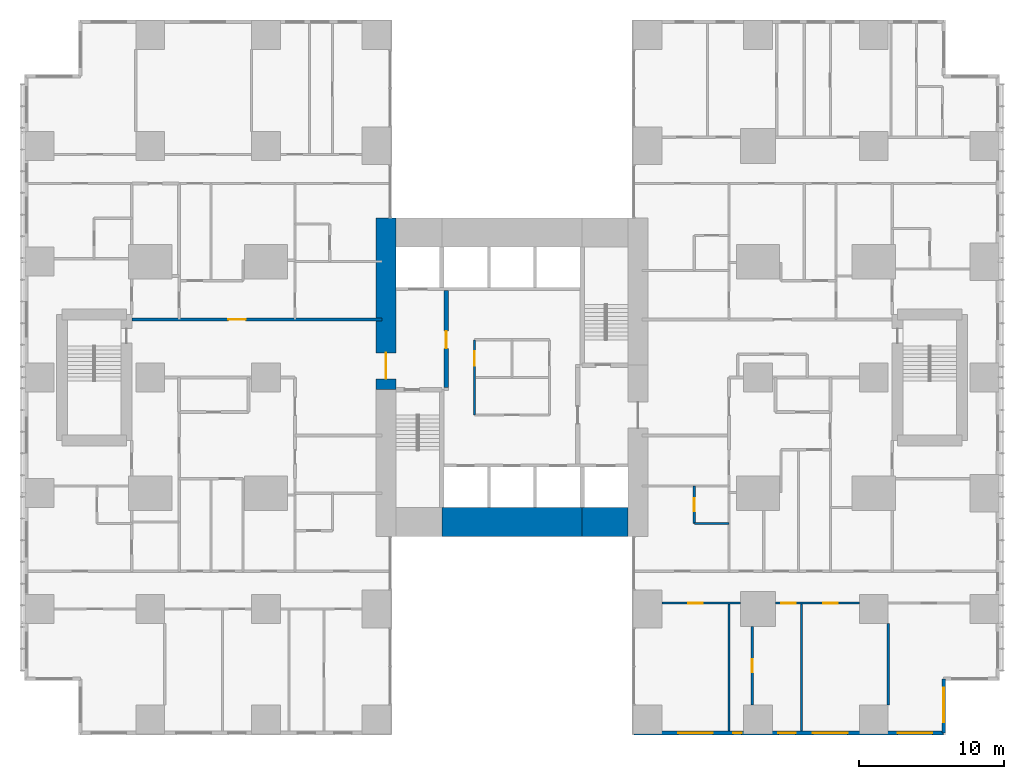
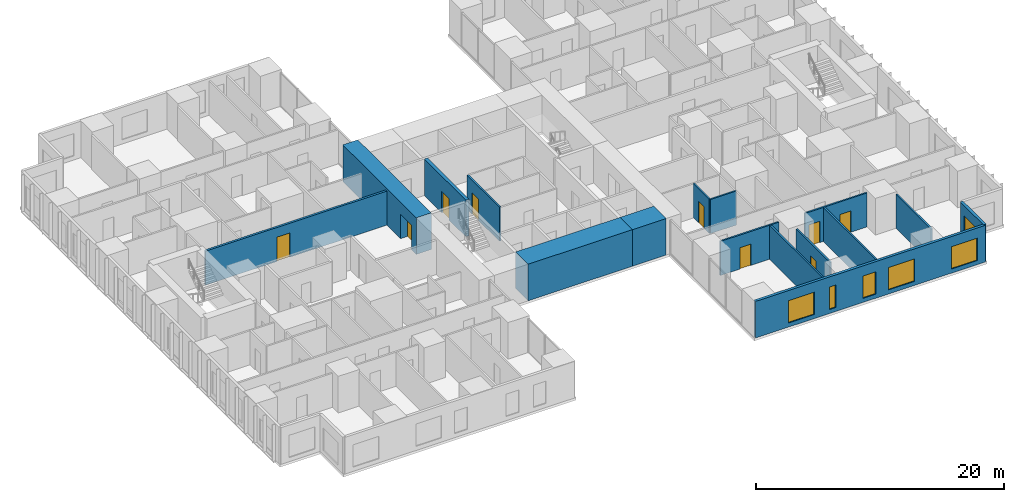
# One storey, part 14 of 20: 16 walls, 9 doors, 6 windows, 15 openings.
"""IFC4 building model written with IfcOpenShell, lengths in metres."""

import ifcopenshell
import ifcopenshell.guid

model = None  # the IFC model being written
_history = None  # IfcOwnerHistory: only IFC2X3 demands one
_inside = {}  # id of a spatial element -> (the spatial element, [elements in it])
_under = {}  # id of a project, library or spatial element -> (it, [spatial elements below it])
_declared = {}  # id of a project -> (the project, [libraries it declares])
_typed = {}  # id of a type object -> (the type object, [elements of that type])
_made_of = {}  # id of a material, layer set ... -> (it, [elements and type objects made of it])


def new_model(schema):
    """Start an empty IFC model of exactly this schema.

    Asked for "IFC4X3", IfcOpenShell would pick the latest addendum, in which some entities
    have other attributes; the version numbers below select the first issue.
    IFC2X3 requires an IfcOwnerHistory on every rooted entity: one is made here for all.
    """
    global model, _history
    if schema == "IFC4X3":
        model = ifcopenshell.file(schema_version=(4, 3, 0, 0))
    else:
        model = ifcopenshell.file(schema=schema)
    _inside.clear()
    _under.clear()
    _declared.clear()
    _typed.clear()
    _made_of.clear()
    _history = None
    if model.schema == "IFC2X3":
        org = make("IfcOrganization", Name="unknown")
        user = make(
            "IfcPersonAndOrganization",
            ThePerson=make("IfcPerson", FamilyName="unknown"),
            TheOrganization=org,
        )
        app = make(
            "IfcApplication",
            ApplicationDeveloper=org,
            Version="unknown",
            ApplicationFullName="unknown",
            ApplicationIdentifier="unknown",
        )
        _history = make(
            "IfcOwnerHistory",
            OwningUser=user,
            OwningApplication=app,
            ChangeAction="ADDED",
            CreationDate=0,
        )
    return model


def make(cls, **values):
    """One entity of the class cls with the attributes given. An attribute that is None is left unset."""
    return model.create_entity(
        cls, **{name: value for name, value in values.items() if value is not None}
    )


def rooted(cls, **values):
    """An entity with a GlobalId (a new one), such as an element, a storey or a relation."""
    return make(cls, GlobalId=ifcopenshell.guid.new(), OwnerHistory=_history, **values)


def si_unit(unit_type, name, prefix=None):
    """IfcSIUnit, for example si_unit("LENGTHUNIT", "METRE", prefix="MILLI")."""
    return make("IfcSIUnit", UnitType=unit_type, Prefix=prefix, Name=name)


def assignment(units):
    """IfcUnitAssignment: the units of a project."""
    return None if units is None else make("IfcUnitAssignment", Units=units)


def point(xyz):
    """IfcCartesianPoint."""
    return None if xyz is None else make("IfcCartesianPoint", Coordinates=xyz)


def direction(xyz):
    """IfcDirection."""
    return None if xyz is None else make("IfcDirection", DirectionRatios=xyz)


def frame(location, z_axis=None, x_axis=None):
    """IfcAxis2Placement3D, a coordinate frame: its origin and axes. An axis left out is left unset."""
    return make(
        "IfcAxis2Placement3D",
        Location=point(location),
        Axis=direction(z_axis),
        RefDirection=direction(x_axis),
    )


def frame_2d(location, x_axis=None):
    """IfcAxis2Placement2D, a coordinate frame in the plane: its origin and x axis."""
    return make(
        "IfcAxis2Placement2D", Location=point(location), RefDirection=direction(x_axis)
    )


def origin():
    """The frame at (0, 0, 0) with its axes left unset."""
    return frame((0.0, 0.0, 0.0))


def place(relative_to, where):
    """IfcLocalPlacement: puts the frame where relative to a parent placement (None: the world)."""
    return make(
        "IfcLocalPlacement", PlacementRelTo=relative_to, RelativePlacement=where
    )


def context(
    kind, dimensions, precision=None, world=None, true_north=None, identifier=None
):
    """IfcGeometricRepresentationContext, for example the 3D "Model" context."""
    return make(
        "IfcGeometricRepresentationContext",
        ContextIdentifier=identifier,
        ContextType=kind,
        CoordinateSpaceDimension=dimensions,
        Precision=precision,
        WorldCoordinateSystem=world,
        TrueNorth=true_north,
    )


def subcontext(parent, identifier, kind, view, scale=None):
    """IfcGeometricRepresentationSubContext, for example "Body" below "Model"."""
    return make(
        "IfcGeometricRepresentationSubContext",
        ContextIdentifier=identifier,
        ContextType=kind,
        ParentContext=parent,
        TargetScale=scale,
        TargetView=view,
    )


def project(units=None, contexts=None):
    """IfcProject with its units and contexts."""
    return rooted(
        "IfcProject",
        Name="project",
        RepresentationContexts=contexts,
        UnitsInContext=assignment(units),
    )


def spatial(cls, under=None, at=None, **own):
    """A site, building, storey or space (cls), placed at a placement, below another one or the project."""
    s = rooted(cls, ObjectPlacement=at, **own)
    if under is not None:
        _under.setdefault(under.id(), (under, []))[1].append(s)
    return s


def profile(cls, at=None, kind="AREA", **sizes):
    """A parametric profile (cls). Its sizes go by their IFC names, for example OverallWidth=200.0."""
    return make(cls, ProfileType=kind, Position=at, **sizes)


def rectangle(**sizes):
    """IfcRectangleProfileDef."""
    return profile("IfcRectangleProfileDef", **sizes)


def extrude(swept, where, along, depth):
    """IfcExtrudedAreaSolid: the profile swept, set in the frame where, extruded along a direction by depth."""
    return make(
        "IfcExtrudedAreaSolid",
        SweptArea=swept,
        Position=where,
        ExtrudedDirection=direction(along),
        Depth=depth,
    )


def shape(context_of_items, identifier, shape_type, items):
    """IfcShapeRepresentation: the items that make up one representation, for example the "Body"."""
    return make(
        "IfcShapeRepresentation",
        ContextOfItems=context_of_items,
        RepresentationIdentifier=identifier,
        RepresentationType=shape_type,
        Items=items,
    )


def material(Name=None, Category=None):
    """IfcMaterial."""
    return make("IfcMaterial", Name=Name, Category=Category)


def layer(
    of_material, thickness, ventilated=None, Name=None, Category=None, Priority=None
):
    """IfcMaterialLayer: one layer of a wall or slab, of a material (None: an air gap)."""
    return make(
        "IfcMaterialLayer",
        Material=of_material,
        LayerThickness=thickness,
        IsVentilated=ventilated,
        Name=Name,
        Category=Category,
        Priority=Priority,
    )


def layer_set(layers, Name=None):
    """IfcMaterialLayerSet."""
    return make("IfcMaterialLayerSet", MaterialLayers=layers, LayerSetName=Name)


def made_of(thing, what):
    """Note that an element or type object is made of a material, layer set ...; save() writes the relation."""
    if what is not None:
        _made_of.setdefault(what.id(), (what, []))[1].append(thing)
    return thing


def type_object(cls, material=None, **own):
    """A type object (cls), such as IfcWallType, which elements share."""
    return made_of(rooted(cls, **own), material)


def element(
    cls,
    number,
    at=None,
    inside=None,
    cuts=None,
    type_object=None,
    material=None,
    context=None,
    identifier="Body",
    shape_type=None,
    held_by="IfcProductDefinitionShape",
    body=None,
    shapes=None,
    **own,
):
    """One element of the class cls, such as IfcWall. Its Tag is "e" and its number.

    at: its placement. inside: the storey or other place that contains it. cuts: it is an
    opening in that element (IfcRelVoidsElement). A single representation is given by context,
    identifier, shape_type and body (its items); several are given by shapes. held_by: the class
    of the entity that holds the representations. save() writes the other relations.
    """
    e = rooted(cls, Tag="e%d" % number, ObjectPlacement=at, **own)
    if body is not None:
        shapes = [shape(context, identifier, shape_type, body)]
    if shapes is not None:
        e.Representation = make(held_by, Representations=shapes)
    if inside is not None:
        _inside.setdefault(inside.id(), (inside, []))[1].append(e)
    if cuts is not None:
        rooted(
            "IfcRelVoidsElement", RelatingBuildingElement=cuts, RelatedOpeningElement=e
        )
    if type_object is not None:
        _typed.setdefault(type_object.id(), (type_object, []))[1].append(e)
    return made_of(e, material)


def fill(opening, filler):
    """IfcRelFillsElement: the door or window that sits in an opening."""
    return rooted(
        "IfcRelFillsElement",
        RelatingOpeningElement=opening,
        RelatedBuildingElement=filler,
    )


def aggregate(whole, parts):
    """IfcRelAggregates: a whole, such as a stair, and the parts it consists of."""
    return rooted("IfcRelAggregates", RelatingObject=whole, RelatedObjects=parts)


def save(model, path):
    """Write the relations noted so far, then the file.

    IfcRelAggregates (storeys below a building ...), IfcRelContainedInSpatialStructure (elements
    in a storey), IfcRelDefinesByType, IfcRelAssociatesMaterial and IfcRelDeclares: one each for
    every whole, place, type object, material and project.
    """
    for whole, parts in _under.values():
        aggregate(whole, parts)
    for where, things in _inside.values():
        rooted(
            "IfcRelContainedInSpatialStructure",
            RelatedElements=things,
            RelatingStructure=where,
        )
    for kind, things in _typed.values():
        rooted("IfcRelDefinesByType", RelatedObjects=things, RelatingType=kind)
    for what, things in _made_of.values():
        rooted("IfcRelAssociatesMaterial", RelatedObjects=things, RelatingMaterial=what)
    for by, libraries in _declared.values():
        rooted("IfcRelDeclares", RelatingContext=by, RelatedDefinitions=libraries)
    model.write(path)


model = new_model("IFC4")

# Units and contexts
model_context = context("Model", 3, precision=1e-05, world=origin(), true_north=direction((0.0, 1.0)))
body_context = subcontext(model_context, "Body", "Model", "MODEL_VIEW")
ifc_project = project(units=[si_unit("LENGTHUNIT", "METRE"), si_unit("AREAUNIT", "SQUARE_METRE"), si_unit("VOLUMEUNIT", "CUBIC_METRE"), si_unit("PLANEANGLEUNIT", "RADIAN"), si_unit("MASSUNIT", "GRAM", prefix="KILO")], contexts=[model_context])

# Site, building, storey
site_placement = place(None, origin())
site = spatial("IfcSite", under=ifc_project, at=site_placement, CompositionType="ELEMENT")
building_placement = place(site_placement, origin())
building = spatial("IfcBuilding", under=site, at=building_placement, Name="Cleftline Residences", CompositionType="ELEMENT")
storey_placement = place(building_placement, frame((0.0, 0.0, 135.800048828125)))
storey = spatial("IfcBuildingStorey", under=building, at=storey_placement, Name="L35", CompositionType="ELEMENT", Elevation=135.800048828125)

# Wall, opening, door
ifc_material_1 = material(Name="Concrete B70", Category="concrete")
ifc_layer_1 = layer(ifc_material_1, 1.39990234375)
ifc_layer_set_1 = layer_set([ifc_layer_1], Name="CORE WALL 1400")
wall_type_1 = type_object("IfcWallType", Name="CORE WALL 1400", PredefinedType="SHEAR", material=ifc_layer_set_1)
wall_1_placement = place(storey_placement, frame((24.300048828125, 23.14990234375, 0.0), z_axis=(0.0, 0.0, 1.0), x_axis=(0.0, 1.0, 0.0)))
wall_1 = element("IfcWall", 1, at=wall_1_placement, inside=storey, type_object=wall_type_1, Name="Core wall W", PredefinedType="SHEAR", context=body_context, shape_type="SweptSolid", body=[
    extrude(rectangle(XDim=11.85009765625, YDim=1.39990234375, at=frame_2d((5.925048828125, 0.0))), origin(), (0.0, 0.0, 1.0), 3.599853515625),
])
opening_1_placement = place(wall_1_placement, frame((0.75, 0.0, 0.0)))
opening_1 = element("IfcOpeningElement", 2, at=opening_1_placement, cuts=wall_1, Name="Opening D7", PredefinedType="OPENING", context=body_context, shape_type="SweptSolid", body=[
    extrude(rectangle(XDim=1.800048828125, YDim=2.39990234375, at=frame_2d((0.89990234375, 1.199951171875))), frame((0.0, 0.7099609375, 0.0), z_axis=(0.0, -1.0, 0.0), x_axis=(1.0, 0.0, 0.0)), (0.0, 0.0, 1.0), 1.419921875),
])
ifc_material_2 = material(Name="Steel", Category="steel")
door_type_1 = type_object("IfcDoorType", Name="WING DOOR 1800X2400", OperationType="DOUBLE_DOOR_DOUBLE_SWING", PredefinedType="DOOR", material=ifc_material_2)
door_1_placement = place(opening_1_placement, origin())
door_1 = element("IfcDoor", 3, at=door_1_placement, inside=storey, type_object=door_type_1, Name="West wing door", OperationType="DOUBLE_DOOR_DOUBLE_SWING", OverallHeight=2.39990234375, OverallWidth=1.800048828125, PredefinedType="DOOR", context=body_context, shape_type="SweptSolid", body=[
    extrude(rectangle(XDim=1.800048828125, YDim=2.39990234375, at=frame_2d((0.89990234375, 1.199951171875))), frame((0.0, 0.02490234375, 0.0), z_axis=(0.0, -1.0, 0.0), x_axis=(1.0, 0.0, 0.0)), (0.0, 0.0, 1.0), 0.050048828125),
])
fill(opening_1, door_1)

# Walls
ifc_material_3 = material(Name="Concrete B70", Category="concrete")
ifc_layer_2 = layer(ifc_material_3, 2.0)
ifc_layer_set_2 = layer_set([ifc_layer_2], Name="CORE WALL 2000")
wall_type_2 = type_object("IfcWallType", Name="CORE WALL 2000", PredefinedType="SHEAR", material=ifc_layer_set_2)
wall_2_placement = place(storey_placement, frame((28.14990234375, 14.0, 0.0), z_axis=(0.0, 0.0, 1.0), x_axis=(1.0, 0.0, 0.0)))
element("IfcWall", 4, at=wall_2_placement, inside=storey, type_object=wall_type_2, Name="Core wall S2", PredefinedType="SHEAR", context=body_context, shape_type="SweptSolid", body=[
    extrude(rectangle(XDim=9.7001953125, YDim=2.0, at=frame_2d((4.85009765625, 0.0))), origin(), (0.0, 0.0, 1.0), 3.599853515625),
])
wall_3_placement = place(storey_placement, frame((37.85009765625, 14.0, 0.0), z_axis=(0.0, 0.0, 1.0), x_axis=(1.0, 0.0, 0.0)))
element("IfcWall", 5, at=wall_3_placement, inside=storey, type_object=wall_type_2, Name="Core wall S3", PredefinedType="SHEAR", context=body_context, shape_type="SweptSolid", body=[
    extrude(rectangle(XDim=3.14990234375, YDim=2.0, at=frame_2d((1.574951171875, 0.0))), origin(), (0.0, 0.0, 1.0), 3.599853515625),
])

# Wall, openings, windows
ifc_material_4 = material(Name="Rendered reinforced concrete blockwork", Category="masonry")
ifc_layer_3 = layer(ifc_material_4, 0.25)
ifc_layer_set_3 = layer_set([ifc_layer_3], Name="EXTERNAL WALL 250")
wall_type_3 = type_object("IfcWallType", Name="EXTERNAL WALL 250", PredefinedType="SOLIDWALL", material=ifc_layer_set_3)
wall_4_placement = place(storey_placement, frame((41.425048828125, -0.574951171875, 0.0), z_axis=(0.0, 0.0, 1.0), x_axis=(1.0, 0.0, 0.0)))
wall_4 = element("IfcWall", 6, at=wall_4_placement, inside=storey, type_object=wall_type_3, Name="External wall", PredefinedType="SOLIDWALL", context=body_context, shape_type="SweptSolid", body=[
    extrude(rectangle(XDim=21.39990234375, YDim=0.25, at=frame_2d((10.699951171875, 0.0))), origin(), (0.0, 0.0, 1.0), 3.599853515625),
])
opening_2_placement = place(wall_4_placement, frame((3.050048828125, 0.0, 0.39990234375)))
opening_2 = element("IfcOpeningElement", 7, at=opening_2_placement, cuts=wall_4, Name="Opening W12", PredefinedType="OPENING", context=body_context, shape_type="SweptSolid", body=[
    extrude(rectangle(XDim=2.39990234375, YDim=2.199951171875, at=frame_2d((1.199951171875, 1.10009765625))), frame((0.0, 0.135009765625, 0.0), z_axis=(0.0, -1.0, 0.0), x_axis=(1.0, 0.0, 0.0)), (0.0, 0.0, 1.0), 0.27001953125),
])
opening_3_placement = place(wall_4_placement, frame((6.85009765625, 0.0, 0.39990234375)))
opening_3 = element("IfcOpeningElement", 8, at=opening_3_placement, cuts=wall_4, Name="Opening W10", PredefinedType="OPENING", context=body_context, shape_type="SweptSolid", body=[
    extrude(rectangle(XDim=0.60009765625, YDim=2.199951171875, at=frame_2d((0.300048828125, 1.10009765625))), frame((0.0, 0.135009765625, 0.0), z_axis=(0.0, -1.0, 0.0), x_axis=(1.0, 0.0, 0.0)), (0.0, 0.0, 1.0), 0.27001953125),
])
opening_4_placement = place(wall_4_placement, frame((9.97509765625, 0.0, 0.39990234375)))
opening_4 = element("IfcOpeningElement", 9, at=opening_4_placement, cuts=wall_4, Name="Opening W11", PredefinedType="OPENING", context=body_context, shape_type="SweptSolid", body=[
    extrude(rectangle(XDim=1.199951171875, YDim=2.199951171875, at=frame_2d((0.60009765625, 1.10009765625))), frame((0.0, 0.135009765625, 0.0), z_axis=(0.0, -1.0, 0.0), x_axis=(1.0, 0.0, 0.0)), (0.0, 0.0, 1.0), 0.27001953125),
])
opening_5_placement = place(wall_4_placement, frame((12.375, 0.0, 0.39990234375)))
opening_5 = element("IfcOpeningElement", 10, at=opening_5_placement, cuts=wall_4, Name="Opening W12", PredefinedType="OPENING", context=body_context, shape_type="SweptSolid", body=[
    extrude(rectangle(XDim=2.39990234375, YDim=2.199951171875, at=frame_2d((1.199951171875, 1.10009765625))), frame((0.0, 0.135009765625, 0.0), z_axis=(0.0, -1.0, 0.0), x_axis=(1.0, 0.0, 0.0)), (0.0, 0.0, 1.0), 0.27001953125),
])
opening_6_placement = place(wall_4_placement, frame((18.22509765625, 0.0, 0.39990234375)))
opening_6 = element("IfcOpeningElement", 11, at=opening_6_placement, cuts=wall_4, Name="Opening W12", PredefinedType="OPENING", context=body_context, shape_type="SweptSolid", body=[
    extrude(rectangle(XDim=2.39990234375, YDim=2.199951171875, at=frame_2d((1.199951171875, 1.10009765625))), frame((0.0, 0.135009765625, 0.0), z_axis=(0.0, -1.0, 0.0), x_axis=(1.0, 0.0, 0.0)), (0.0, 0.0, 1.0), 0.27001953125),
])
ifc_material_5 = material(Name="Aluminium frame, clear double glazing", Category="aluminium")
window_type_1 = type_object("IfcWindowType", Name="WINDOW 1200X2200", PartitioningType="DOUBLE_PANEL_VERTICAL", PredefinedType="WINDOW", material=ifc_material_5)
window_1_placement = place(opening_4_placement, origin())
window_1 = element("IfcWindow", 12, at=window_1_placement, inside=storey, type_object=window_type_1, Name="Window", OverallHeight=2.199951171875, OverallWidth=1.199951171875, PartitioningType="SINGLE_PANEL", PredefinedType="WINDOW", context=body_context, shape_type="SweptSolid", body=[
    extrude(rectangle(XDim=1.199951171875, YDim=2.199951171875, at=frame_2d((0.60009765625, 1.10009765625))), frame((0.0, 0.030029296875, 0.0), z_axis=(0.0, -1.0, 0.0), x_axis=(1.0, 0.0, 0.0)), (0.0, 0.0, 1.0), 0.06005859375),
])
fill(opening_4, window_1)
ifc_material_6 = material(Name="Aluminium frame, clear double glazing", Category="aluminium")
window_type_2 = type_object("IfcWindowType", Name="WINDOW 2400X2200", PartitioningType="DOUBLE_PANEL_VERTICAL", PredefinedType="WINDOW", material=ifc_material_6)
window_2_placement = place(opening_2_placement, origin())
window_2 = element("IfcWindow", 13, at=window_2_placement, inside=storey, type_object=window_type_2, Name="Window", OverallHeight=2.199951171875, OverallWidth=2.39990234375, PartitioningType="SINGLE_PANEL", PredefinedType="WINDOW", context=body_context, shape_type="SweptSolid", body=[
    extrude(rectangle(XDim=2.39990234375, YDim=2.199951171875, at=frame_2d((1.199951171875, 1.10009765625))), frame((0.0, 0.030029296875, 0.0), z_axis=(0.0, -1.0, 0.0), x_axis=(1.0, 0.0, 0.0)), (0.0, 0.0, 1.0), 0.06005859375),
])
fill(opening_2, window_2)
window_3_placement = place(opening_5_placement, origin())
window_3 = element("IfcWindow", 14, at=window_3_placement, inside=storey, type_object=window_type_2, Name="Window", OverallHeight=2.199951171875, OverallWidth=2.39990234375, PartitioningType="SINGLE_PANEL", PredefinedType="WINDOW", context=body_context, shape_type="SweptSolid", body=[
    extrude(rectangle(XDim=2.39990234375, YDim=2.199951171875, at=frame_2d((1.199951171875, 1.10009765625))), frame((0.0, 0.030029296875, 0.0), z_axis=(0.0, -1.0, 0.0), x_axis=(1.0, 0.0, 0.0)), (0.0, 0.0, 1.0), 0.06005859375),
])
fill(opening_5, window_3)
window_4_placement = place(opening_6_placement, origin())
window_4 = element("IfcWindow", 15, at=window_4_placement, inside=storey, type_object=window_type_2, Name="Window", OverallHeight=2.199951171875, OverallWidth=2.39990234375, PartitioningType="SINGLE_PANEL", PredefinedType="WINDOW", context=body_context, shape_type="SweptSolid", body=[
    extrude(rectangle(XDim=2.39990234375, YDim=2.199951171875, at=frame_2d((1.199951171875, 1.10009765625))), frame((0.0, 0.030029296875, 0.0), z_axis=(0.0, -1.0, 0.0), x_axis=(1.0, 0.0, 0.0)), (0.0, 0.0, 1.0), 0.06005859375),
])
fill(opening_6, window_4)
ifc_material_7 = material(Name="Aluminium frame, clear double glazing", Category="aluminium")
window_type_3 = type_object("IfcWindowType", Name="WINDOW 600X2200", PartitioningType="DOUBLE_PANEL_VERTICAL", PredefinedType="WINDOW", material=ifc_material_7)
window_5_placement = place(opening_3_placement, origin())
window_5 = element("IfcWindow", 16, at=window_5_placement, inside=storey, type_object=window_type_3, Name="Window", OverallHeight=2.199951171875, OverallWidth=0.60009765625, PartitioningType="SINGLE_PANEL", PredefinedType="WINDOW", context=body_context, shape_type="SweptSolid", body=[
    extrude(rectangle(XDim=0.60009765625, YDim=2.199951171875, at=frame_2d((0.300048828125, 1.10009765625))), frame((0.0, 0.030029296875, 0.0), z_axis=(0.0, -1.0, 0.0), x_axis=(1.0, 0.0, 0.0)), (0.0, 0.0, 1.0), 0.06005859375),
])
fill(opening_3, window_5)

# Wall, opening, window
wall_5_placement = place(storey_placement, frame((62.824951171875, -0.574951171875, 0.0), z_axis=(0.0, 0.0, 1.0), x_axis=(0.0, 1.0, 0.0)))
wall_5 = element("IfcWall", 17, at=wall_5_placement, inside=storey, type_object=wall_type_3, Name="External wall", PredefinedType="SOLIDWALL", context=body_context, shape_type="SweptSolid", body=[
    extrude(rectangle(XDim=3.75, YDim=0.25, at=frame_2d((1.875, 0.0))), origin(), (0.0, 0.0, 1.0), 3.599853515625),
])
opening_7_placement = place(wall_5_placement, frame((0.737548828125, 0.0, 0.39990234375)))
opening_7 = element("IfcOpeningElement", 18, at=opening_7_placement, cuts=wall_5, Name="Opening W12", PredefinedType="OPENING", context=body_context, shape_type="SweptSolid", body=[
    extrude(rectangle(XDim=2.39990234375, YDim=2.199951171875, at=frame_2d((1.199951171875, 1.10009765625))), frame((0.0, 0.135009765625, 0.0), z_axis=(0.0, -1.0, 0.0), x_axis=(1.0, 0.0, 0.0)), (0.0, 0.0, 1.0), 0.27001953125),
])
window_6_placement = place(opening_7_placement, origin())
window_6 = element("IfcWindow", 19, at=window_6_placement, inside=storey, type_object=window_type_2, Name="Window", OverallHeight=2.199951171875, OverallWidth=2.39990234375, PartitioningType="SINGLE_PANEL", PredefinedType="WINDOW", context=body_context, shape_type="SweptSolid", body=[
    extrude(rectangle(XDim=2.39990234375, YDim=2.199951171875, at=frame_2d((1.199951171875, 1.10009765625))), frame((0.0, 0.030029296875, 0.0), z_axis=(0.0, -1.0, 0.0), x_axis=(1.0, 0.0, 0.0)), (0.0, 0.0, 1.0), 0.06005859375),
])
fill(opening_7, window_6)

# Wall, opening, door
ifc_material_8 = material(Name="Concrete blockwork, fire rated", Category="masonry")
ifc_layer_4 = layer(ifc_material_8, 0.199951171875)
ifc_layer_set_4 = layer_set([ifc_layer_4], Name="FIRE WALL 200")
wall_type_4 = type_object("IfcWallType", Name="FIRE WALL 200", PredefinedType="PARTITIONING", material=ifc_layer_set_4)
wall_6_placement = place(storey_placement, frame((6.72509765625, 28.0, 0.0), z_axis=(0.0, 0.0, 1.0), x_axis=(1.0, 0.0, 0.0)))
wall_6 = element("IfcWall", 20, at=wall_6_placement, inside=storey, type_object=wall_type_4, Name="Fire separating wall", PredefinedType="PARTITIONING", context=body_context, shape_type="SweptSolid", body=[
    extrude(rectangle(XDim=17.27490234375, YDim=0.199951171875, at=frame_2d((8.637451171875, 0.0))), origin(), (0.0, 0.0, 1.0), 3.349853515625),
])
opening_8_placement = place(wall_6_placement, frame((6.675048828125, 0.0, 0.0)))
opening_8 = element("IfcOpeningElement", 21, at=opening_8_placement, cuts=wall_6, Name="Opening D4", PredefinedType="OPENING", context=body_context, shape_type="SweptSolid", body=[
    extrude(rectangle(XDim=1.199951171875, YDim=2.39990234375, at=frame_2d((0.60009765625, 1.199951171875))), frame((0.0, 0.10986328125, 0.0), z_axis=(0.0, -1.0, 0.0), x_axis=(1.0, 0.0, 0.0)), (0.0, 0.0, 1.0), 0.219970703125),
])
ifc_material_9 = material(Name="Timber veneer on solid core", Category="wood")
door_type_2 = type_object("IfcDoorType", Name="APARTMENT ENTRANCE DOOR 1200X2400", OperationType="SINGLE_SWING_RIGHT", PredefinedType="DOOR", material=ifc_material_9)
door_2_placement = place(opening_8_placement, origin())
door_2 = element("IfcDoor", 22, at=door_2_placement, inside=storey, type_object=door_type_2, Name="Door to residence entrance foyer", OperationType="SINGLE_SWING_RIGHT", OverallHeight=2.39990234375, OverallWidth=1.199951171875, PredefinedType="DOOR", context=body_context, shape_type="SweptSolid", body=[
    extrude(rectangle(XDim=1.199951171875, YDim=2.39990234375, at=frame_2d((0.60009765625, 1.199951171875))), frame((0.0, 0.02490234375, 0.0), z_axis=(0.0, -1.0, 0.0), x_axis=(1.0, 0.0, 0.0)), (0.0, 0.0, 1.0), 0.050048828125),
])
fill(opening_8, door_2)

ifc_material_10 = material(Name="Gypsum board on steel studs", Category="steel")
ifc_layer_5 = layer(ifc_material_10, 0.14990234375)
ifc_layer_set_5 = layer_set([ifc_layer_5], Name="PARTITION 150")
wall_type_5 = type_object("IfcWallType", Name="PARTITION 150", PredefinedType="PARTITIONING", material=ifc_layer_set_5)
wall_7_placement = place(storey_placement, frame((43.35009765625, 8.39990234375, 0.0), z_axis=(0.0, 0.0, 1.0), x_axis=(1.0, 0.0, 0.0)))
wall_7 = element("IfcWall", 23, at=wall_7_placement, inside=storey, type_object=wall_type_5, Name="Partition", PredefinedType="PARTITIONING", context=body_context, shape_type="SweptSolid", body=[
    extrude(rectangle(XDim=5.449951171875, YDim=0.14990234375, at=frame_2d((2.72509765625, 0.0))), origin(), (0.0, 0.0, 1.0), 3.349853515625),
])
opening_9_placement = place(wall_7_placement, frame((1.824951171875, 0.0, 0.0)))
opening_9 = element("IfcOpeningElement", 24, at=opening_9_placement, cuts=wall_7, Name="Opening D2", PredefinedType="OPENING", context=body_context, shape_type="SweptSolid", body=[
    extrude(rectangle(XDim=1.0, YDim=2.10009765625, at=frame_2d((0.5, 1.050048828125))), frame((0.0, 0.0849609375, 0.0), z_axis=(0.0, -1.0, 0.0), x_axis=(1.0, 0.0, 0.0)), (0.0, 0.0, 1.0), 0.169921875),
])
ifc_material_11 = material(Name="Timber veneer on solid core", Category="wood")
door_type_3 = type_object("IfcDoorType", Name="DOOR 1000X2100", OperationType="SINGLE_SWING_LEFT", PredefinedType="DOOR", material=ifc_material_11)
door_3_placement = place(opening_9_placement, origin())
door_3 = element("IfcDoor", 25, at=door_3_placement, inside=storey, type_object=door_type_3, Name="Door to breakfast room", OperationType="SINGLE_SWING_RIGHT", OverallHeight=2.10009765625, OverallWidth=1.0, PredefinedType="DOOR", context=body_context, shape_type="SweptSolid", body=[
    extrude(rectangle(XDim=1.0, YDim=2.10009765625, at=frame_2d((0.5, 1.050048828125))), frame((0.0, 0.02490234375, 0.0), z_axis=(0.0, -1.0, 0.0), x_axis=(1.0, 0.0, 0.0)), (0.0, 0.0, 1.0), 0.050048828125),
])
fill(opening_9, door_3)

# Wall, openings, doors
wall_8_placement = place(storey_placement, frame((51.199951171875, 8.39990234375, 0.0), z_axis=(0.0, 0.0, 1.0), x_axis=(1.0, 0.0, 0.0)))
wall_8 = element("IfcWall", 26, at=wall_8_placement, inside=storey, type_object=wall_type_5, Name="Partition", PredefinedType="PARTITIONING", context=body_context, shape_type="SweptSolid", body=[
    extrude(rectangle(XDim=5.800048828125, YDim=0.14990234375, at=frame_2d((2.89990234375, 0.0))), origin(), (0.0, 0.0, 1.0), 3.349853515625),
])
opening_10_placement = place(wall_8_placement, frame((3.300048828125, 0.0, 0.0)))
opening_10 = element("IfcOpeningElement", 27, at=opening_10_placement, cuts=wall_8, Name="Opening D2", PredefinedType="OPENING", context=body_context, shape_type="SweptSolid", body=[
    extrude(rectangle(XDim=1.0, YDim=2.10009765625, at=frame_2d((0.5, 1.050048828125))), frame((0.0, 0.0849609375, 0.0), z_axis=(0.0, -1.0, 0.0), x_axis=(1.0, 0.0, 0.0)), (0.0, 0.0, 1.0), 0.169921875),
])
opening_11_placement = place(wall_8_placement, frame((0.39990234375, 0.0, 0.0)))
opening_11 = element("IfcOpeningElement", 28, at=opening_11_placement, cuts=wall_8, Name="Opening D2", PredefinedType="OPENING", context=body_context, shape_type="SweptSolid", body=[
    extrude(rectangle(XDim=1.0, YDim=2.10009765625, at=frame_2d((0.5, 1.050048828125))), frame((0.0, 0.0849609375, 0.0), z_axis=(0.0, -1.0, 0.0), x_axis=(1.0, 0.0, 0.0)), (0.0, 0.0, 1.0), 0.169921875),
])
door_4_placement = place(opening_10_placement, origin())
door_4 = element("IfcDoor", 29, at=door_4_placement, inside=storey, type_object=door_type_3, Name="Door to dining room", OperationType="SINGLE_SWING_LEFT", OverallHeight=2.10009765625, OverallWidth=1.0, PredefinedType="DOOR", context=body_context, shape_type="SweptSolid", body=[
    extrude(rectangle(XDim=1.0, YDim=2.10009765625, at=frame_2d((0.5, 1.050048828125))), frame((0.0, 0.02490234375, 0.0), z_axis=(0.0, -1.0, 0.0), x_axis=(1.0, 0.0, 0.0)), (0.0, 0.0, 1.0), 0.050048828125),
])
fill(opening_10, door_4)
door_5_placement = place(opening_11_placement, origin())
door_5 = element("IfcDoor", 30, at=door_5_placement, inside=storey, type_object=door_type_3, Name="Door to show kitchen", OperationType="SINGLE_SWING_RIGHT", OverallHeight=2.10009765625, OverallWidth=1.0, PredefinedType="DOOR", context=body_context, shape_type="SweptSolid", body=[
    extrude(rectangle(XDim=1.0, YDim=2.10009765625, at=frame_2d((0.5, 1.050048828125))), frame((0.0, 0.02490234375, 0.0), z_axis=(0.0, -1.0, 0.0), x_axis=(1.0, 0.0, 0.0)), (0.0, 0.0, 1.0), 0.050048828125),
])
fill(opening_11, door_5)

# Wall
wall_9_placement = place(storey_placement, frame((45.60009765625, 13.89990234375, 0.0), z_axis=(0.0, 0.0, 1.0), x_axis=(1.0, 0.0, 0.0)))
element("IfcWall", 31, at=wall_9_placement, inside=storey, type_object=wall_type_5, Name="Partition", PredefinedType="PARTITIONING", context=body_context, shape_type="SweptSolid", body=[
    extrude(rectangle(XDim=2.39990234375, YDim=0.14990234375, at=frame_2d((1.199951171875, 0.0))), origin(), (0.0, 0.0, 1.0), 3.349853515625),
])

# Wall, opening, door
wall_10_placement = place(storey_placement, frame((45.60009765625, 13.89990234375, 0.0), z_axis=(0.0, 0.0, 1.0), x_axis=(0.0, 1.0, 0.0)))
wall_10 = element("IfcWall", 32, at=wall_10_placement, inside=storey, type_object=wall_type_5, Name="Partition", PredefinedType="PARTITIONING", context=body_context, shape_type="SweptSolid", body=[
    extrude(rectangle(XDim=2.60009765625, YDim=0.14990234375, at=frame_2d((1.300048828125, 0.0))), origin(), (0.0, 0.0, 1.0), 3.349853515625),
])
opening_12_placement = place(wall_10_placement, frame((0.85009765625, 0.0, 0.0)))
opening_12 = element("IfcOpeningElement", 33, at=opening_12_placement, cuts=wall_10, Name="Opening D1", PredefinedType="OPENING", context=body_context, shape_type="SweptSolid", body=[
    extrude(rectangle(XDim=0.89990234375, YDim=2.10009765625, at=frame_2d((0.449951171875, 1.050048828125))), frame((0.0, 0.0849609375, 0.0), z_axis=(0.0, -1.0, 0.0), x_axis=(1.0, 0.0, 0.0)), (0.0, 0.0, 1.0), 0.169921875),
])
ifc_material_12 = material(Name="Timber veneer on solid core", Category="wood")
door_type_4 = type_object("IfcDoorType", Name="DOOR 900X2100", OperationType="SINGLE_SWING_LEFT", PredefinedType="DOOR", material=ifc_material_12)
door_6_placement = place(opening_12_placement, origin())
door_6 = element("IfcDoor", 34, at=door_6_placement, inside=storey, type_object=door_type_4, Name="Door to staff shower room", OperationType="SINGLE_SWING_LEFT", OverallHeight=2.10009765625, OverallWidth=0.89990234375, PredefinedType="DOOR", context=body_context, shape_type="SweptSolid", body=[
    extrude(rectangle(XDim=0.89990234375, YDim=2.10009765625, at=frame_2d((0.449951171875, 1.050048828125))), frame((0.0, 0.02490234375, 0.0), z_axis=(0.0, -1.0, 0.0), x_axis=(1.0, 0.0, 0.0)), (0.0, 0.0, 1.0), 0.050048828125),
])
fill(opening_12, door_6)

# Wall
wall_11_placement = place(storey_placement, frame((48.0, -0.449951171875, 0.0), z_axis=(0.0, 0.0, 1.0), x_axis=(0.0, 1.0, 0.0)))
element("IfcWall", 35, at=wall_11_placement, inside=storey, type_object=wall_type_5, Name="Partition", PredefinedType="PARTITIONING", context=body_context, shape_type="SweptSolid", body=[
    extrude(rectangle(XDim=8.849853515625, YDim=0.14990234375, at=frame_2d((4.4248046875, 0.0))), origin(), (0.0, 0.0, 1.0), 3.349853515625),
])

# Wall, opening, door
wall_12_placement = place(storey_placement, frame((49.60009765625, 1.35009765625, 0.0), z_axis=(0.0, 0.0, 1.0), x_axis=(0.0, 1.0, 0.0)))
wall_12 = element("IfcWall", 36, at=wall_12_placement, inside=storey, type_object=wall_type_5, Name="Partition", PredefinedType="PARTITIONING", context=body_context, shape_type="SweptSolid", body=[
    extrude(rectangle(XDim=5.449951171875, YDim=0.14990234375, at=frame_2d((2.72509765625, 0.0))), origin(), (0.0, 0.0, 1.0), 3.349853515625),
])
opening_13_placement = place(wall_12_placement, frame((2.27490234375, 0.0, 0.0)))
opening_13 = element("IfcOpeningElement", 37, at=opening_13_placement, cuts=wall_12, Name="Opening D1", PredefinedType="OPENING", context=body_context, shape_type="SweptSolid", body=[
    extrude(rectangle(XDim=0.89990234375, YDim=2.10009765625, at=frame_2d((0.449951171875, 1.050048828125))), frame((0.0, 0.0849609375, 0.0), z_axis=(0.0, -1.0, 0.0), x_axis=(1.0, 0.0, 0.0)), (0.0, 0.0, 1.0), 0.169921875),
])
door_7_placement = place(opening_13_placement, origin())
door_7 = element("IfcDoor", 38, at=door_7_placement, inside=storey, type_object=door_type_4, Name="Door to larder", OperationType="SINGLE_SWING_LEFT", OverallHeight=2.10009765625, OverallWidth=0.89990234375, PredefinedType="DOOR", context=body_context, shape_type="SweptSolid", body=[
    extrude(rectangle(XDim=0.89990234375, YDim=2.10009765625, at=frame_2d((0.449951171875, 1.050048828125))), frame((0.0, 0.02490234375, 0.0), z_axis=(0.0, -1.0, 0.0), x_axis=(1.0, 0.0, 0.0)), (0.0, 0.0, 1.0), 0.050048828125),
])
fill(opening_13, door_7)

# Walls
wall_13_placement = place(storey_placement, frame((53.0, -0.449951171875, 0.0), z_axis=(0.0, 0.0, 1.0), x_axis=(0.0, 1.0, 0.0)))
element("IfcWall", 39, at=wall_13_placement, inside=storey, type_object=wall_type_5, Name="Partition", PredefinedType="PARTITIONING", context=body_context, shape_type="SweptSolid", body=[
    extrude(rectangle(XDim=8.849853515625, YDim=0.14990234375, at=frame_2d((4.4248046875, 0.0))), origin(), (0.0, 0.0, 1.0), 3.349853515625),
])
wall_14_placement = place(storey_placement, frame((59.0, 1.35009765625, 0.0), z_axis=(0.0, 0.0, 1.0), x_axis=(0.0, 1.0, 0.0)))
element("IfcWall", 40, at=wall_14_placement, inside=storey, type_object=wall_type_5, Name="Partition", PredefinedType="PARTITIONING", context=body_context, shape_type="SweptSolid", body=[
    extrude(rectangle(XDim=5.64990234375, YDim=0.14990234375, at=frame_2d((2.824951171875, 0.0))), origin(), (0.0, 0.0, 1.0), 3.349853515625),
])

# Wall, opening, door
ifc_material_13 = material(Name="Fire-resisting gypsum board on steel studs", Category="steel")
ifc_layer_6 = layer(ifc_material_13, 0.14990234375)
ifc_layer_set_6 = layer_set([ifc_layer_6], Name="PARTITION 150 EI 60")
wall_type_6 = type_object("IfcWallType", Name="PARTITION 150 EI 60", PredefinedType="PARTITIONING", material=ifc_layer_set_6)
wall_15_placement = place(storey_placement, frame((30.39990234375, 21.39990234375, 0.0), z_axis=(0.0, 0.0, 1.0), x_axis=(0.0, 1.0, 0.0)))
wall_15 = element("IfcWall", 41, at=wall_15_placement, inside=storey, type_object=wall_type_6, Name="Core room partition", PredefinedType="PARTITIONING", context=body_context, shape_type="SweptSolid", body=[
    extrude(rectangle(XDim=5.2001953125, YDim=0.14990234375, at=frame_2d((2.60009765625, 0.0))), origin(), (0.0, 0.0, 1.0), 3.349853515625),
])
opening_14_placement = place(wall_15_placement, frame((3.39990234375, 0.0, 0.0)))
opening_14 = element("IfcOpeningElement", 42, at=opening_14_placement, cuts=wall_15, Name="Opening D2F60", PredefinedType="OPENING", context=body_context, shape_type="SweptSolid", body=[
    extrude(rectangle(XDim=1.0, YDim=2.10009765625, at=frame_2d((0.5, 1.050048828125))), frame((0.0, 0.0849609375, 0.0), z_axis=(0.0, -1.0, 0.0), x_axis=(1.0, 0.0, 0.0)), (0.0, 0.0, 1.0), 0.169921875),
])
ifc_material_14 = material(Name="Timber veneer on solid core", Category="wood")
door_type_5 = type_object("IfcDoorType", Name="DOOR 1000X2100 EI 60", OperationType="SINGLE_SWING_LEFT", PredefinedType="DOOR", material=ifc_material_14)
door_8_placement = place(opening_14_placement, origin())
door_8 = element("IfcDoor", 43, at=door_8_placement, inside=storey, type_object=door_type_5, Name="Door to electrical room", OperationType="SINGLE_SWING_LEFT", OverallHeight=2.10009765625, OverallWidth=1.0, PredefinedType="DOOR", context=body_context, shape_type="SweptSolid", body=[
    extrude(rectangle(XDim=1.0, YDim=2.10009765625, at=frame_2d((0.5, 1.050048828125))), frame((0.0, 0.02490234375, 0.0), z_axis=(0.0, -1.0, 0.0), x_axis=(1.0, 0.0, 0.0)), (0.0, 0.0, 1.0), 0.050048828125),
])
fill(opening_14, door_8)

ifc_material_15 = material(Name="Concrete blockwork, fire rated", Category="masonry")
ifc_layer_7 = layer(ifc_material_15, 0.300048828125)
ifc_layer_set_7 = layer_set([ifc_layer_7], Name="STAIR LOBBY WALL 300")
wall_type_7 = type_object("IfcWallType", Name="STAIR LOBBY WALL 300", PredefinedType="PARTITIONING", material=ifc_layer_set_7)
wall_16_placement = place(storey_placement, frame((28.449951171875, 23.300048828125, 0.0), z_axis=(0.0, 0.0, 1.0), x_axis=(0.0, 1.0, 0.0)))
wall_16 = element("IfcWall", 44, at=wall_16_placement, inside=storey, type_object=wall_type_7, Name="Stair and lobby wall FA-E", PredefinedType="PARTITIONING", context=body_context, shape_type="SweptSolid", body=[
    extrude(rectangle(XDim=6.699951171875, YDim=0.300048828125, at=frame_2d((3.35009765625, 0.0))), origin(), (0.0, 0.0, 1.0), 3.599853515625),
])
opening_15_placement = place(wall_16_placement, frame((2.699951171875, 0.0, 0.0)))
opening_15 = element("IfcOpeningElement", 45, at=opening_15_placement, cuts=wall_16, Name="Opening D6", PredefinedType="OPENING", context=body_context, shape_type="SweptSolid", body=[
    extrude(rectangle(XDim=1.199951171875, YDim=2.10009765625, at=frame_2d((0.60009765625, 1.050048828125))), frame((0.0, 0.159912109375, 0.0), z_axis=(0.0, -1.0, 0.0), x_axis=(1.0, 0.0, 0.0)), (0.0, 0.0, 1.0), 0.320068359375),
])
ifc_material_16 = material(Name="Steel", Category="steel")
door_type_6 = type_object("IfcDoorType", Name="LOBBY DOOR 1200X2100", OperationType="SINGLE_SWING_RIGHT", PredefinedType="DOOR", material=ifc_material_16)
door_9_placement = place(opening_15_placement, origin())
door_9 = element("IfcDoor", 46, at=door_9_placement, inside=storey, type_object=door_type_6, Name="Firefighting lobby A door", OperationType="SINGLE_SWING_RIGHT", OverallHeight=2.10009765625, OverallWidth=1.199951171875, PredefinedType="DOOR", context=body_context, shape_type="SweptSolid", body=[
    extrude(rectangle(XDim=1.199951171875, YDim=2.10009765625, at=frame_2d((0.60009765625, 1.050048828125))), frame((0.0, 0.02490234375, 0.0), z_axis=(0.0, -1.0, 0.0), x_axis=(1.0, 0.0, 0.0)), (0.0, 0.0, 1.0), 0.050048828125),
])
fill(opening_15, door_9)

save(model, "model.ifc")
